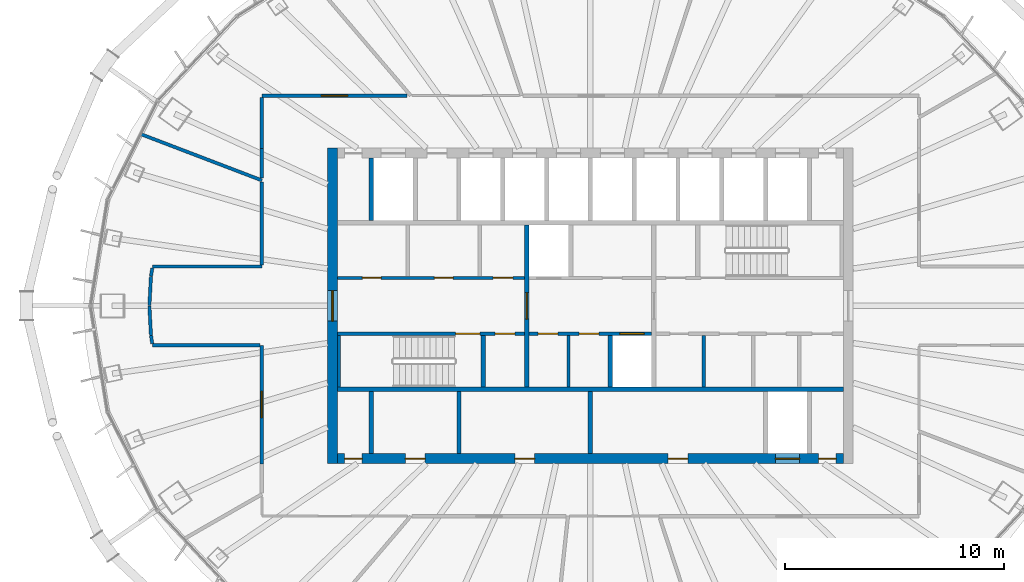
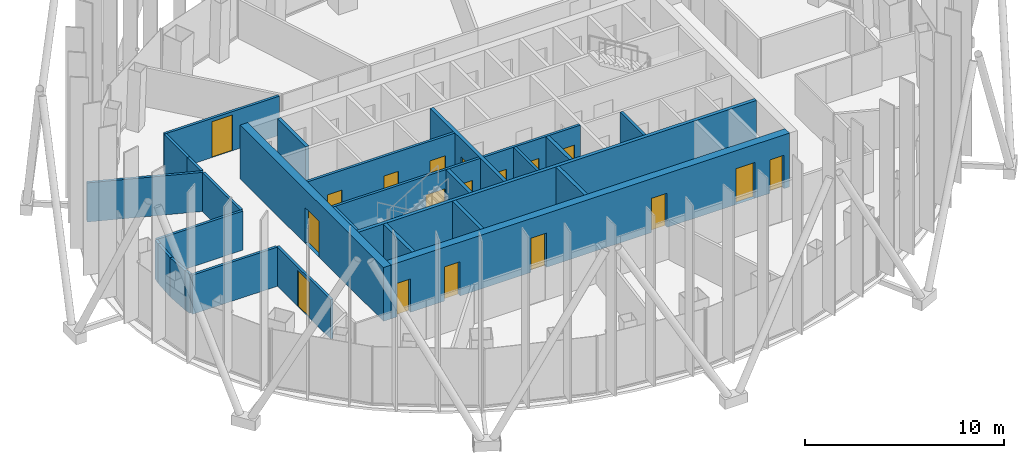
# One storey, part 8 of 17: 28 walls, 18 doors, 18 openings.
"""IFC4 building model written with IfcOpenShell, lengths in metres."""

from ifc_helpers import new_model, si_unit, direction, frame, frame_2d, origin, place, context, subcontext, project, spatial, rectangle, extrude, material, layer, layer_set, type_object, element, fill, save


model = new_model("IFC4")

# Units and contexts
model_context = context("Model", 3, precision=1e-05, world=origin(), true_north=direction((0.0, 1.0)))
body_context = subcontext(model_context, "Body", "Model", "MODEL_VIEW")
ifc_project = project(units=[si_unit("LENGTHUNIT", "METRE"), si_unit("AREAUNIT", "SQUARE_METRE"), si_unit("VOLUMEUNIT", "CUBIC_METRE"), si_unit("PLANEANGLEUNIT", "RADIAN"), si_unit("MASSUNIT", "GRAM", prefix="KILO")], contexts=[model_context])

# Site, building, storey
site_placement = place(None, origin())
site = spatial("IfcSite", under=ifc_project, at=site_placement, CompositionType="ELEMENT")
building_placement = place(site_placement, origin())
building = spatial("IfcBuilding", under=site, at=building_placement, Name="Siaravel Broadcast Tower", CompositionType="ELEMENT")
storey_placement = place(building_placement, frame((0.0, 0.0, 190.39990234375)))
storey = spatial("IfcBuildingStorey", under=building, at=storey_placement, Name="L46", CompositionType="ELEMENT", Elevation=190.39990234375)

# Walls
ifc_material_1 = material(Name="Concrete blockwork", Category="masonry")
ifc_layer_1 = layer(ifc_material_1, 0.14990234375)
ifc_layer_set_1 = layer_set([ifc_layer_1], Name="Concrete blockwork")
wall_type_1 = type_object("IfcWallType", Name="Core partition 150", PredefinedType="PARTITIONING", material=ifc_layer_set_1)
for number, where, z_axis, x_axis, name in (
    (1, (5.180908203125, -3.699951171875, 0.0), (0.0, 0.0, 1.0), (0.0, 1.0, 0.0), "L46 core partition PSE0"),
    (2, (-1.0, -3.699951171875, 0.0), (0.0, 0.0, 1.0), (0.0, 1.0, 0.0), "L46 core partition PSM0"),
):
    element("IfcWall", number, at=place(storey_placement, frame(where, z_axis=z_axis, x_axis=x_axis)), inside=storey, type_object=wall_type_1, Name=name, PredefinedType="PARTITIONING", context=body_context, shape_type="SweptSolid", body=[
        extrude(rectangle(XDim=2.349853515625, YDim=0.14990234375, at=frame_2d((1.1748046875, 0.0))), origin(), (0.0, 0.0, 1.0), 3.300048828125),
    ])
ifc_layer_2 = layer(ifc_material_1, 0.199951171875)
ifc_layer_set_2 = layer_set([ifc_layer_2], Name="Concrete blockwork")
wall_type_2 = type_object("IfcWallType", Name="Core partition 200", PredefinedType="PARTITIONING", material=ifc_layer_set_2)
for number, where, z_axis, x_axis, name in (
    (3, (-6.0, -6.75, 0.0), (0.0, 0.0, 1.0), (0.0, 1.0, 0.0), "L46 core partition PFS0"),
    (4, (0.0, -6.75, 0.0), (0.0, 0.0, 1.0), (0.0, 1.0, 0.0), "L46 core partition PFS2"),
):
    element("IfcWall", number, at=place(storey_placement, frame(where, z_axis=z_axis, x_axis=x_axis)), inside=storey, type_object=wall_type_2, Name=name, PredefinedType="PARTITIONING", context=body_context, shape_type="SweptSolid", body=[
        extrude(rectangle(XDim=2.85009765625, YDim=0.199951171875, at=frame_2d((1.425048828125, 0.0))), origin(), (0.0, 0.0, 1.0), 3.300048828125),
    ])

# Wall, opening, door
ifc_material_2 = material(Name="Concrete C60/75", Category="concrete")
ifc_layer_3 = layer(ifc_material_2, 0.449951171875)
ifc_layer_set_3 = layer_set([ifc_layer_3], Name="Concrete C60/75")
wall_type_3 = type_object("IfcWallType", Name="Core wall 450", PredefinedType="SHEAR", material=ifc_layer_set_3)
wall_1_placement = place(storey_placement, frame((-11.77490234375, -7.199951171875, 0.0), z_axis=(0.0, 0.0, 1.0), x_axis=(0.0, 1.0, 0.0)))
wall_1 = element("IfcWall", 5, at=wall_1_placement, inside=storey, type_object=wall_type_3, Name="L46 core wall OW", PredefinedType="SHEAR", context=body_context, shape_type="SweptSolid", body=[
    extrude(rectangle(XDim=14.39990234375, YDim=0.449951171875, at=frame_2d((7.199951171875, 0.0))), origin(), (0.0, 0.0, 1.0), 3.300048828125),
])
opening_1_placement = place(wall_1_placement, frame((6.5, 0.0, 0.0)))
opening_1 = element("IfcOpeningElement", 6, at=opening_1_placement, cuts=wall_1, Name="Opening L46-DX-W", PredefinedType="OPENING", context=body_context, shape_type="SweptSolid", body=[
    extrude(rectangle(XDim=1.39990234375, YDim=2.199951171875, at=frame_2d((0.699951171875, 1.10009765625))), frame((0.0, 0.23486328125, 0.0), z_axis=(0.0, -1.0, 0.0), x_axis=(1.0, 0.0, 0.0)), (0.0, 0.0, 1.0), 0.469970703125),
])
ifc_material_3 = material(Name="Steel", Category="steel")
door_type_1 = type_object("IfcDoorType", Name="Core exit door 1400", OperationType="DOUBLE_DOOR_SINGLE_SWING", PredefinedType="DOOR", material=ifc_material_3)
door_1_placement = place(opening_1_placement, origin())
door_1 = element("IfcDoor", 7, at=door_1_placement, inside=storey, type_object=door_type_1, Name="L46 door DX-W", OperationType="DOUBLE_DOOR_SINGLE_SWING", OverallHeight=2.199951171875, OverallWidth=1.39990234375, PredefinedType="DOOR", context=body_context, shape_type="SweptSolid", body=[
    extrude(rectangle(XDim=1.39990234375, YDim=2.199951171875, at=frame_2d((0.699951171875, 1.10009765625))), frame((0.0, 0.02490234375, 0.0), z_axis=(0.0, -1.0, 0.0), x_axis=(1.0, 0.0, 0.0)), (0.0, 0.0, 1.0), 0.050048828125),
])
fill(opening_1, door_1)

# Wall, openings, doors
wall_2_placement = place(storey_placement, frame((-11.550048828125, -6.97509765625, 0.0), z_axis=(0.0, 0.0, 1.0), x_axis=(1.0, 0.0, 0.0)))
wall_2 = element("IfcWall", 8, at=wall_2_placement, inside=storey, type_object=wall_type_3, Name="L46 core wall OS", PredefinedType="SHEAR", context=body_context, shape_type="SweptSolid", body=[
    extrude(rectangle(XDim=23.10009765625, YDim=0.449951171875, at=frame_2d((11.550048828125, 0.0))), origin(), (0.0, 0.0, 1.0), 3.300048828125),
])
opening_2_placement = place(wall_2_placement, frame((20.0, 0.0, 0.0)))
opening_2 = element("IfcOpeningElement", 9, at=opening_2_placement, cuts=wall_2, Name="Opening LD-SV1-L46", PredefinedType="OPENING", context=body_context, shape_type="SweptSolid", body=[
    extrude(rectangle(XDim=1.10009765625, YDim=2.199951171875, at=frame_2d((0.550048828125, 1.10009765625))), frame((0.0, 0.23486328125, 0.0), z_axis=(0.0, -1.0, 0.0), x_axis=(1.0, 0.0, 0.0)), (0.0, 0.0, 1.0), 0.469970703125),
])
opening_3_placement = place(wall_2_placement, frame((3.10009765625, 0.0, 0.0)))
opening_3 = element("IfcOpeningElement", 10, at=opening_3_placement, cuts=wall_2, Name="Opening L46-DFS0", PredefinedType="OPENING", context=body_context, shape_type="SweptSolid", body=[
    extrude(rectangle(XDim=0.89990234375, YDim=2.10009765625, at=frame_2d((0.449951171875, 1.050048828125))), frame((0.0, 0.23486328125, 0.0), z_axis=(0.0, -1.0, 0.0), x_axis=(1.0, 0.0, 0.0)), (0.0, 0.0, 1.0), 0.469970703125),
])
opening_4_placement = place(wall_2_placement, frame((8.10009765625, 0.0, 0.0)))
opening_4 = element("IfcOpeningElement", 11, at=opening_4_placement, cuts=wall_2, Name="Opening L46-DFS2", PredefinedType="OPENING", context=body_context, shape_type="SweptSolid", body=[
    extrude(rectangle(XDim=0.89990234375, YDim=2.10009765625, at=frame_2d((0.449951171875, 1.050048828125))), frame((0.0, 0.23486328125, 0.0), z_axis=(0.0, -1.0, 0.0), x_axis=(1.0, 0.0, 0.0)), (0.0, 0.0, 1.0), 0.469970703125),
])
opening_5_placement = place(wall_2_placement, frame((15.10009765625, 0.0, 0.0)))
opening_5 = element("IfcOpeningElement", 12, at=opening_5_placement, cuts=wall_2, Name="Opening L46-DFS5", PredefinedType="OPENING", context=body_context, shape_type="SweptSolid", body=[
    extrude(rectangle(XDim=0.89990234375, YDim=2.10009765625, at=frame_2d((0.449951171875, 1.050048828125))), frame((0.0, 0.23486328125, 0.0), z_axis=(0.0, -1.0, 0.0), x_axis=(1.0, 0.0, 0.0)), (0.0, 0.0, 1.0), 0.469970703125),
])
opening_6_placement = place(wall_2_placement, frame((0.324951171875, 0.0, 0.0)))
opening_6 = element("IfcOpeningElement", 13, at=opening_6_placement, cuts=wall_2, Name="Opening L46-DRSW", PredefinedType="OPENING", context=body_context, shape_type="SweptSolid", body=[
    extrude(rectangle(XDim=0.800048828125, YDim=2.050048828125, at=frame_2d((0.39990234375, 1.02490234375))), frame((0.0, 0.23486328125, 0.0), z_axis=(0.0, -1.0, 0.0), x_axis=(1.0, 0.0, 0.0)), (0.0, 0.0, 1.0), 0.469970703125),
])
opening_7_placement = place(wall_2_placement, frame((21.97509765625, 0.0, 0.0)))
opening_7 = element("IfcOpeningElement", 14, at=opening_7_placement, cuts=wall_2, Name="Opening L46-DRSE", PredefinedType="OPENING", context=body_context, shape_type="SweptSolid", body=[
    extrude(rectangle(XDim=0.800048828125, YDim=2.050048828125, at=frame_2d((0.39990234375, 1.02490234375))), frame((0.0, 0.23486328125, 0.0), z_axis=(0.0, -1.0, 0.0), x_axis=(1.0, 0.0, 0.0)), (0.0, 0.0, 1.0), 0.469970703125),
])
ifc_material_4 = material(Name="Timber veneer", Category="wood")
door_type_2 = type_object("IfcDoorType", Name="Core room door 900", OperationType="SINGLE_SWING_LEFT", PredefinedType="DOOR", material=ifc_material_4)
door_2_placement = place(opening_3_placement, origin())
door_2 = element("IfcDoor", 15, at=door_2_placement, inside=storey, type_object=door_type_2, Name="L46 door DFS0", OperationType="SINGLE_SWING_LEFT", OverallHeight=2.10009765625, OverallWidth=0.89990234375, PredefinedType="DOOR", context=body_context, shape_type="SweptSolid", body=[
    extrude(rectangle(XDim=0.89990234375, YDim=2.10009765625, at=frame_2d((0.449951171875, 1.050048828125))), frame((0.0, 0.02490234375, 0.0), z_axis=(0.0, -1.0, 0.0), x_axis=(1.0, 0.0, 0.0)), (0.0, 0.0, 1.0), 0.050048828125),
])
fill(opening_3, door_2)
door_3_placement = place(opening_4_placement, origin())
door_3 = element("IfcDoor", 16, at=door_3_placement, inside=storey, type_object=door_type_2, Name="L46 door DFS2", OperationType="SINGLE_SWING_LEFT", OverallHeight=2.10009765625, OverallWidth=0.89990234375, PredefinedType="DOOR", context=body_context, shape_type="SweptSolid", body=[
    extrude(rectangle(XDim=0.89990234375, YDim=2.10009765625, at=frame_2d((0.449951171875, 1.050048828125))), frame((0.0, 0.02490234375, 0.0), z_axis=(0.0, -1.0, 0.0), x_axis=(1.0, 0.0, 0.0)), (0.0, 0.0, 1.0), 0.050048828125),
])
fill(opening_4, door_3)
door_4_placement = place(opening_5_placement, origin())
door_4 = element("IfcDoor", 17, at=door_4_placement, inside=storey, type_object=door_type_2, Name="L46 door DFS5", OperationType="SINGLE_SWING_LEFT", OverallHeight=2.10009765625, OverallWidth=0.89990234375, PredefinedType="DOOR", context=body_context, shape_type="SweptSolid", body=[
    extrude(rectangle(XDim=0.89990234375, YDim=2.10009765625, at=frame_2d((0.449951171875, 1.050048828125))), frame((0.0, 0.02490234375, 0.0), z_axis=(0.0, -1.0, 0.0), x_axis=(1.0, 0.0, 0.0)), (0.0, 0.0, 1.0), 0.050048828125),
])
fill(opening_5, door_4)
door_type_3 = type_object("IfcDoorType", Name="Riser door 800", OperationType="SINGLE_SWING_LEFT", PredefinedType="DOOR", material=ifc_material_3)
door_5_placement = place(opening_6_placement, origin())
door_5 = element("IfcDoor", 18, at=door_5_placement, inside=storey, type_object=door_type_3, Name="L46 door DRSW", OperationType="SINGLE_SWING_LEFT", OverallHeight=2.050048828125, OverallWidth=0.800048828125, PredefinedType="DOOR", context=body_context, shape_type="SweptSolid", body=[
    extrude(rectangle(XDim=0.800048828125, YDim=2.050048828125, at=frame_2d((0.39990234375, 1.02490234375))), frame((0.0, 0.02490234375, 0.0), z_axis=(0.0, -1.0, 0.0), x_axis=(1.0, 0.0, 0.0)), (0.0, 0.0, 1.0), 0.050048828125),
])
fill(opening_6, door_5)
door_6_placement = place(opening_7_placement, origin())
door_6 = element("IfcDoor", 19, at=door_6_placement, inside=storey, type_object=door_type_3, Name="L46 door DRSE", OperationType="SINGLE_SWING_LEFT", OverallHeight=2.050048828125, OverallWidth=0.800048828125, PredefinedType="DOOR", context=body_context, shape_type="SweptSolid", body=[
    extrude(rectangle(XDim=0.800048828125, YDim=2.050048828125, at=frame_2d((0.39990234375, 1.02490234375))), frame((0.0, 0.02490234375, 0.0), z_axis=(0.0, -1.0, 0.0), x_axis=(1.0, 0.0, 0.0)), (0.0, 0.0, 1.0), 0.050048828125),
])
fill(opening_7, door_6)
ifc_material_5 = material(Name="Stainless steel 316L", Category="steel")
door_type_4 = type_object("IfcDoorType", Name="Service lift landing door 1100", OperationType="DOUBLE_DOOR_SLIDING", PredefinedType="DOOR", material=ifc_material_5)
door_7_placement = place(opening_2_placement, origin())
door_7 = element("IfcDoor", 20, at=door_7_placement, inside=storey, type_object=door_type_4, Name="Landing door SV1 L46", OperationType="DOUBLE_DOOR_SLIDING", OverallHeight=2.199951171875, OverallWidth=1.10009765625, PredefinedType="DOOR", context=body_context, shape_type="SweptSolid", body=[
    extrude(rectangle(XDim=1.10009765625, YDim=2.199951171875, at=frame_2d((0.550048828125, 1.10009765625))), frame((0.0, 0.02490234375, 0.0), z_axis=(0.0, -1.0, 0.0), x_axis=(1.0, 0.0, 0.0)), (0.0, 0.0, 1.0), 0.050048828125),
])
fill(opening_2, door_7)

ifc_material_6 = material(Name="Gypsum board partition", Category="gypsum")
ifc_layer_4 = layer(ifc_material_6, 0.14990234375)
ifc_layer_set_4 = layer_set([ifc_layer_4], Name="Gypsum board partition")
wall_type_4 = type_object("IfcWallType", Name="Corridor wall 150", PredefinedType="PARTITIONING", material=ifc_layer_set_4)
wall_3_placement = place(storey_placement, frame((-11.550048828125, 1.27490234375, 0.0), z_axis=(0.0, 0.0, 1.0), x_axis=(1.0, 0.0, 0.0)))
wall_3 = element("IfcWall", 21, at=wall_3_placement, inside=storey, type_object=wall_type_4, Name="L46 core partition CNW", PredefinedType="PARTITIONING", context=body_context, shape_type="SweptSolid", body=[
    extrude(rectangle(XDim=8.550048828125, YDim=0.14990234375, at=frame_2d((4.27490234375, 0.0))), origin(), (0.0, 0.0, 1.0), 3.300048828125),
])
opening_8_placement = place(wall_3_placement, frame((1.142578125, 0.0, 0.0)))
opening_8 = element("IfcOpeningElement", 22, at=opening_8_placement, cuts=wall_3, Name="Opening L46-DNW0", PredefinedType="OPENING", context=body_context, shape_type="SweptSolid", body=[
    extrude(rectangle(XDim=0.85009765625, YDim=2.10009765625, at=frame_2d((0.425048828125, 1.050048828125))), frame((0.0, 0.0849609375, 0.0), z_axis=(0.0, -1.0, 0.0), x_axis=(1.0, 0.0, 0.0)), (0.0, 0.0, 1.0), 0.169921875),
])
opening_9_placement = place(wall_3_placement, frame((4.427490234375, 0.0, 0.0)))
opening_9 = element("IfcOpeningElement", 23, at=opening_9_placement, cuts=wall_3, Name="Opening L46-DNW1", PredefinedType="OPENING", context=body_context, shape_type="SweptSolid", body=[
    extrude(rectangle(XDim=0.85009765625, YDim=2.10009765625, at=frame_2d((0.425048828125, 1.050048828125))), frame((0.0, 0.0849609375, 0.0), z_axis=(0.0, -1.0, 0.0), x_axis=(1.0, 0.0, 0.0)), (0.0, 0.0, 1.0), 0.169921875),
])
opening_10_placement = place(wall_3_placement, frame((7.110107421875, 0.0, 0.0)))
opening_10 = element("IfcOpeningElement", 24, at=opening_10_placement, cuts=wall_3, Name="Opening L46-DNW2", PredefinedType="OPENING", context=body_context, shape_type="SweptSolid", body=[
    extrude(rectangle(XDim=0.89990234375, YDim=2.10009765625, at=frame_2d((0.449951171875, 1.050048828125))), frame((0.0, 0.0849609375, 0.0), z_axis=(0.0, -1.0, 0.0), x_axis=(1.0, 0.0, 0.0)), (0.0, 0.0, 1.0), 0.169921875),
])
door_8_placement = place(opening_10_placement, origin())
door_8 = element("IfcDoor", 25, at=door_8_placement, inside=storey, type_object=door_type_2, Name="L46 door DNW2", OperationType="SINGLE_SWING_LEFT", OverallHeight=2.10009765625, OverallWidth=0.89990234375, PredefinedType="DOOR", context=body_context, shape_type="SweptSolid", body=[
    extrude(rectangle(XDim=0.89990234375, YDim=2.10009765625, at=frame_2d((0.449951171875, 1.050048828125))), frame((0.0, 0.02490234375, 0.0), z_axis=(0.0, -1.0, 0.0), x_axis=(1.0, 0.0, 0.0)), (0.0, 0.0, 1.0), 0.050048828125),
])
fill(opening_10, door_8)
door_type_5 = type_object("IfcDoorType", Name="Core toilet door 850", OperationType="SINGLE_SWING_LEFT", PredefinedType="DOOR", material=ifc_material_4)
door_9_placement = place(opening_8_placement, origin())
door_9 = element("IfcDoor", 26, at=door_9_placement, inside=storey, type_object=door_type_5, Name="L46 door DNW0", OperationType="SINGLE_SWING_LEFT", OverallHeight=2.10009765625, OverallWidth=0.85009765625, PredefinedType="DOOR", context=body_context, shape_type="SweptSolid", body=[
    extrude(rectangle(XDim=0.85009765625, YDim=2.10009765625, at=frame_2d((0.425048828125, 1.050048828125))), frame((0.0, 0.02490234375, 0.0), z_axis=(0.0, -1.0, 0.0), x_axis=(1.0, 0.0, 0.0)), (0.0, 0.0, 1.0), 0.050048828125),
])
fill(opening_8, door_9)
door_10_placement = place(opening_9_placement, origin())
door_10 = element("IfcDoor", 27, at=door_10_placement, inside=storey, type_object=door_type_5, Name="L46 door DNW1", OperationType="SINGLE_SWING_LEFT", OverallHeight=2.10009765625, OverallWidth=0.85009765625, PredefinedType="DOOR", context=body_context, shape_type="SweptSolid", body=[
    extrude(rectangle(XDim=0.85009765625, YDim=2.10009765625, at=frame_2d((0.425048828125, 1.050048828125))), frame((0.0, 0.02490234375, 0.0), z_axis=(0.0, -1.0, 0.0), x_axis=(1.0, 0.0, 0.0)), (0.0, 0.0, 1.0), 0.050048828125),
])
fill(opening_9, door_10)

# Wall, opening, door
wall_4_placement = place(storey_placement, frame((-8.371337890625, 9.60009765625, 0.0), z_axis=(0.0, 0.0, 1.0), x_axis=(-1.0, 0.0, 0.0)))
wall_4 = element("IfcWall", 28, at=wall_4_placement, inside=storey, type_object=wall_type_4, Name="L46 partition 11", PredefinedType="PARTITIONING", context=body_context, shape_type="SweptSolid", body=[
    extrude(rectangle(XDim=6.628662109375, YDim=0.14990234375, at=frame_2d((3.314453125, 0.0))), origin(), (0.0, 0.0, 1.0), 2.400146484375),
])
opening_11_placement = place(wall_4_placement, frame((2.71435546875, 0.0, 0.0)))
opening_11 = element("IfcOpeningElement", 29, at=opening_11_placement, cuts=wall_4, Name="Opening L46-010", PredefinedType="OPENING", context=body_context, shape_type="SweptSolid", body=[
    extrude(rectangle(XDim=1.199951171875, YDim=2.199951171875, at=frame_2d((0.60009765625, 1.10009765625))), frame((0.0, 0.0849609375, 0.0), z_axis=(0.0, -1.0, 0.0), x_axis=(1.0, 0.0, 0.0)), (0.0, 0.0, 1.0), 0.169921875),
])
door_type_6 = type_object("IfcDoorType", Name="Office double door 1200", OperationType="DOUBLE_DOOR_SINGLE_SWING", PredefinedType="DOOR", material=ifc_material_4)
door_11_placement = place(opening_11_placement, origin())
door_11 = element("IfcDoor", 30, at=door_11_placement, inside=storey, type_object=door_type_6, Name="L46 door to Open plan office", OperationType="DOUBLE_DOOR_SINGLE_SWING", OverallHeight=2.199951171875, OverallWidth=1.199951171875, PredefinedType="DOOR", context=body_context, shape_type="SweptSolid", body=[
    extrude(rectangle(XDim=1.199951171875, YDim=2.199951171875, at=frame_2d((0.60009765625, 1.10009765625))), frame((0.0, 0.02490234375, 0.0), z_axis=(0.0, -1.0, 0.0), x_axis=(1.0, 0.0, 0.0)), (0.0, 0.0, 1.0), 0.050048828125),
])
fill(opening_11, door_11)

wall_5_placement = place(storey_placement, frame((-15.0, -1.800048828125, 0.0), z_axis=(0.0, 0.0, 1.0), x_axis=(0.0, -1.0, 0.0)))
wall_5 = element("IfcWall", 31, at=wall_5_placement, inside=storey, type_object=wall_type_4, Name="L46 partition 15", PredefinedType="PARTITIONING", context=body_context, shape_type="SweptSolid", body=[
    extrude(rectangle(XDim=5.411865234375, YDim=0.14990234375, at=frame_2d((2.7060546875, 0.0))), origin(), (0.0, 0.0, 1.0), 2.400146484375),
])
opening_12_placement = place(wall_5_placement, frame((2.10595703125, 0.0, 0.0)))
opening_12 = element("IfcOpeningElement", 32, at=opening_12_placement, cuts=wall_5, Name="Opening L46-011", PredefinedType="OPENING", context=body_context, shape_type="SweptSolid", body=[
    extrude(rectangle(XDim=1.199951171875, YDim=2.199951171875, at=frame_2d((0.60009765625, 1.10009765625))), frame((0.0, 0.0849609375, 0.0), z_axis=(0.0, -1.0, 0.0), x_axis=(1.0, 0.0, 0.0)), (0.0, 0.0, 1.0), 0.169921875),
])
door_12_placement = place(opening_12_placement, origin())
door_12 = element("IfcDoor", 33, at=door_12_placement, inside=storey, type_object=door_type_6, Name="L46 door to Open plan office", OperationType="DOUBLE_DOOR_SINGLE_SWING", OverallHeight=2.199951171875, OverallWidth=1.199951171875, PredefinedType="DOOR", context=body_context, shape_type="SweptSolid", body=[
    extrude(rectangle(XDim=1.199951171875, YDim=2.199951171875, at=frame_2d((0.60009765625, 1.10009765625))), frame((0.0, 0.02490234375, 0.0), z_axis=(0.0, -1.0, 0.0), x_axis=(1.0, 0.0, 0.0)), (0.0, 0.0, 1.0), 0.050048828125),
])
fill(opening_12, door_12)

# Walls
wall_6_placement = place(storey_placement, frame((-19.9921875, -1.800048828125, 0.0), z_axis=(0.0, 0.0, 1.0), x_axis=(1.0, 0.0, 0.0)))
element("IfcWall", 34, at=wall_6_placement, inside=storey, type_object=wall_type_4, Name="L46 partition 18", PredefinedType="PARTITIONING", context=body_context, shape_type="SweptSolid", body=[
    extrude(rectangle(XDim=4.915283203125, YDim=0.14990234375, at=frame_2d((2.45751953125, 0.0))), origin(), (0.0, 0.0, 1.0), 2.400146484375),
])
wall_7_placement = place(storey_placement, frame((-15.0, 1.800048828125, 0.0), z_axis=(0.0, 0.0, 1.0), x_axis=(-1.0, 0.0, 0.0)))
element("IfcWall", 35, at=wall_7_placement, inside=storey, type_object=wall_type_4, Name="L46 partition 19", PredefinedType="PARTITIONING", context=body_context, shape_type="SweptSolid", body=[
    extrude(rectangle(XDim=4.9921875, YDim=0.14990234375, at=frame_2d((2.49609375, 0.0))), origin(), (0.0, 0.0, 1.0), 2.400146484375),
])
wall_8_placement = place(storey_placement, frame((-15.0, 5.6572265625, 0.0), z_axis=(0.0, 0.0, 1.0), x_axis=(0.0, -1.0, 0.0)))
element("IfcWall", 36, at=wall_8_placement, inside=storey, type_object=wall_type_4, Name="L46 partition 25", PredefinedType="PARTITIONING", context=body_context, shape_type="SweptSolid", body=[
    extrude(rectangle(XDim=3.7802734375, YDim=0.14990234375, at=frame_2d((1.89013671875, 0.0))), origin(), (0.0, 0.0, 1.0), 2.400146484375),
])
wall_9_placement = place(storey_placement, frame((-15.0, 9.52294921875, 0.0), z_axis=(0.0, 0.0, 1.0), x_axis=(0.0, -1.0, 0.0)))
element("IfcWall", 37, at=wall_9_placement, inside=storey, type_object=wall_type_4, Name="L46 partition 28", PredefinedType="PARTITIONING", context=body_context, shape_type="SweptSolid", body=[
    extrude(rectangle(XDim=2.3349609375, YDim=0.14990234375, at=frame_2d((1.16748046875, 0.0))), origin(), (0.0, 0.0, 1.0), 2.400146484375),
])
wall_10_placement = place(storey_placement, frame((-15.0, 7.18701171875, 0.0), z_axis=(0.0, 0.0, 1.0), x_axis=(0.0, -1.0, 0.0)))
element("IfcWall", 38, at=wall_10_placement, inside=storey, type_object=wall_type_4, Name="L46 partition 30", PredefinedType="PARTITIONING", context=body_context, shape_type="SweptSolid", body=[
    extrude(rectangle(XDim=1.3466796875, YDim=0.14990234375, at=frame_2d((0.67333984375, 0.0))), origin(), (0.0, 0.0, 1.0), 2.400146484375),
])
wall_11_placement = place(storey_placement, frame((-20.13671875, 0.0, 0.0), z_axis=(0.0, 0.0, 1.0), x_axis=(0.053233569, -0.998582088, 0.0)))
element("IfcWall", 39, at=wall_11_placement, inside=storey, type_object=wall_type_4, Name="L46 partition 35", PredefinedType="PARTITIONING", context=body_context, shape_type="SweptSolid", body=[
    extrude(rectangle(XDim=1.348388671875, YDim=0.14990234375, at=frame_2d((0.67431640625, 0.0))), origin(), (0.0, 0.0, 1.0), 2.400146484375),
])
wall_12_placement = place(storey_placement, frame((-20.06494140625, 1.346435546875, 0.0), z_axis=(0.0, 0.0, 1.0), x_axis=(-0.053267345, -0.998580287, 0.0)))
element("IfcWall", 40, at=wall_12_placement, inside=storey, type_object=wall_type_4, Name="L46 partition 36", PredefinedType="PARTITIONING", context=body_context, shape_type="SweptSolid", body=[
    extrude(rectangle(XDim=1.33837890625, YDim=0.14990234375, at=frame_2d((0.669189453125, 0.0))), origin(), (0.0, 0.0, 1.0), 2.400146484375),
])
for number, where, z_axis, x_axis, name in (
    (41, (-20.0634765625, -1.356201171875, 0.0), (0.0, 0.0, 1.0), (0.158882963, -0.987297424, 0.0), "L46 partition 40"),
    (42, (-20.004150390625, 1.724853515625, 0.0), (0.0, 0.0, 1.0), (-0.158882963, -0.987297424, 0.0), "L46 partition 41"),
):
    element("IfcWall", number, at=place(storey_placement, frame(where, z_axis=z_axis, x_axis=x_axis)), inside=storey, type_object=wall_type_4, Name=name, PredefinedType="PARTITIONING", context=body_context, shape_type="SweptSolid", body=[
        extrude(rectangle(XDim=0.373291015625, YDim=0.14990234375, at=frame_2d((0.1865234375, 0.0))), origin(), (0.0, 0.0, 1.0), 2.400146484375),
    ])
ifc_layer_5 = layer(ifc_material_6, 0.14990234375)
ifc_layer_set_5 = layer_set([ifc_layer_5], Name="Gypsum board partition")
wall_type_5 = type_object("IfcWallType", Name="Room partition 150", PredefinedType="PARTITIONING", material=ifc_layer_set_5)
wall_13_placement = place(storey_placement, frame((-20.515380859375, 7.8359375, 0.0), z_axis=(0.0, 0.0, 1.0), x_axis=(0.934186062, -0.356786213, 0.0)))
element("IfcWall", 43, at=wall_13_placement, inside=storey, type_object=wall_type_5, Name="L46 partition 13", PredefinedType="PARTITIONING", context=body_context, shape_type="SweptSolid", body=[
    extrude(rectangle(XDim=5.904052734375, YDim=0.14990234375, at=frame_2d((2.9521484375, 0.0))), origin(), (0.0, 0.0, 1.0), 2.400146484375),
])

# Wall, openings, doors
ifc_layer_6 = layer(ifc_material_2, 0.14990234375)
ifc_layer_set_6 = layer_set([ifc_layer_6], Name="Concrete C60/75")
wall_type_6 = type_object("IfcWallType", Name="Shaft wall 150", PredefinedType="SHEAR", material=ifc_layer_set_6)
wall_14_placement = place(storey_placement, frame((-11.550048828125, -1.27490234375, 0.0), z_axis=(0.0, 0.0, 1.0), x_axis=(1.0, 0.0, 0.0)))
wall_14 = element("IfcWall", 44, at=wall_14_placement, inside=storey, type_object=wall_type_6, Name="L46 core wall CSW", PredefinedType="SHEAR", context=body_context, shape_type="SweptSolid", body=[
    extrude(rectangle(XDim=8.550048828125, YDim=0.14990234375, at=frame_2d((4.27490234375, 0.0))), origin(), (0.0, 0.0, 1.0), 3.300048828125),
])
opening_13_placement = place(wall_14_placement, frame((5.39990234375, 0.0, 0.0)))
opening_13 = element("IfcOpeningElement", 45, at=opening_13_placement, cuts=wall_14, Name="Opening L46-DS-1", PredefinedType="OPENING", context=body_context, shape_type="SweptSolid", body=[
    extrude(rectangle(XDim=1.10009765625, YDim=2.14990234375, at=frame_2d((0.550048828125, 1.074951171875))), frame((0.0, 0.0849609375, 0.0), z_axis=(0.0, -1.0, 0.0), x_axis=(1.0, 0.0, 0.0)), (0.0, 0.0, 1.0), 0.169921875),
])
opening_14_placement = place(wall_14_placement, frame((7.199951171875, 0.0, 0.0)))
opening_14 = element("IfcOpeningElement", 46, at=opening_14_placement, cuts=wall_14, Name="Opening L46-DSW0", PredefinedType="OPENING", context=body_context, shape_type="SweptSolid", body=[
    extrude(rectangle(XDim=0.89990234375, YDim=2.10009765625, at=frame_2d((0.449951171875, 1.050048828125))), frame((0.0, 0.0849609375, 0.0), z_axis=(0.0, -1.0, 0.0), x_axis=(1.0, 0.0, 0.0)), (0.0, 0.0, 1.0), 0.169921875),
])
door_13_placement = place(opening_14_placement, origin())
door_13 = element("IfcDoor", 47, at=door_13_placement, inside=storey, type_object=door_type_2, Name="L46 door DSW0", OperationType="SINGLE_SWING_LEFT", OverallHeight=2.10009765625, OverallWidth=0.89990234375, PredefinedType="DOOR", context=body_context, shape_type="SweptSolid", body=[
    extrude(rectangle(XDim=0.89990234375, YDim=2.10009765625, at=frame_2d((0.449951171875, 1.050048828125))), frame((0.0, 0.02490234375, 0.0), z_axis=(0.0, -1.0, 0.0), x_axis=(1.0, 0.0, 0.0)), (0.0, 0.0, 1.0), 0.050048828125),
])
fill(opening_14, door_13)
door_type_7 = type_object("IfcDoorType", Name="Stair door 1100", OperationType="SINGLE_SWING_LEFT", PredefinedType="DOOR", material=ifc_material_3)
door_14_placement = place(opening_13_placement, origin())
door_14 = element("IfcDoor", 48, at=door_14_placement, inside=storey, type_object=door_type_7, Name="L46 door DS-1", OperationType="SINGLE_SWING_LEFT", OverallHeight=2.14990234375, OverallWidth=1.10009765625, PredefinedType="DOOR", context=body_context, shape_type="SweptSolid", body=[
    extrude(rectangle(XDim=1.10009765625, YDim=2.14990234375, at=frame_2d((0.550048828125, 1.074951171875))), frame((0.0, 0.02490234375, 0.0), z_axis=(0.0, -1.0, 0.0), x_axis=(1.0, 0.0, 0.0)), (0.0, 0.0, 1.0), 0.050048828125),
])
fill(opening_13, door_14)

wall_15_placement = place(storey_placement, frame((-2.800048828125, -1.27490234375, 0.0), z_axis=(0.0, 0.0, 1.0), x_axis=(1.0, 0.0, 0.0)))
wall_15 = element("IfcWall", 49, at=wall_15_placement, inside=storey, type_object=wall_type_6, Name="L46 core wall CSM", PredefinedType="SHEAR", context=body_context, shape_type="SweptSolid", body=[
    extrude(rectangle(XDim=5.60009765625, YDim=0.14990234375, at=frame_2d((2.800048828125, 0.0))), origin(), (0.0, 0.0, 1.0), 3.300048828125),
])
opening_15_placement = place(wall_15_placement, frame((4.14990234375, 0.0, 0.0)))
opening_15 = element("IfcOpeningElement", 50, at=opening_15_placement, cuts=wall_15, Name="Opening LD-FL2-L46", PredefinedType="OPENING", context=body_context, shape_type="SweptSolid", body=[
    extrude(rectangle(XDim=1.10009765625, YDim=2.199951171875, at=frame_2d((0.550048828125, 1.10009765625))), frame((0.0, 0.0849609375, 0.0), z_axis=(0.0, -1.0, 0.0), x_axis=(1.0, 0.0, 0.0)), (0.0, 0.0, 1.0), 0.169921875),
])
opening_16_placement = place(wall_15_placement, frame((0.41259765625, 0.0, 0.0)))
opening_16 = element("IfcOpeningElement", 51, at=opening_16_placement, cuts=wall_15, Name="Opening L46-DSM0", PredefinedType="OPENING", context=body_context, shape_type="SweptSolid", body=[
    extrude(rectangle(XDim=0.89990234375, YDim=2.10009765625, at=frame_2d((0.449951171875, 1.050048828125))), frame((0.0, 0.0849609375, 0.0), z_axis=(0.0, -1.0, 0.0), x_axis=(1.0, 0.0, 0.0)), (0.0, 0.0, 1.0), 0.169921875),
])
opening_17_placement = place(wall_15_placement, frame((2.28759765625, 0.0, 0.0)))
opening_17 = element("IfcOpeningElement", 52, at=opening_17_placement, cuts=wall_15, Name="Opening L46-DSM1", PredefinedType="OPENING", context=body_context, shape_type="SweptSolid", body=[
    extrude(rectangle(XDim=0.89990234375, YDim=2.10009765625, at=frame_2d((0.449951171875, 1.050048828125))), frame((0.0, 0.0849609375, 0.0), z_axis=(0.0, -1.0, 0.0), x_axis=(1.0, 0.0, 0.0)), (0.0, 0.0, 1.0), 0.169921875),
])
door_15_placement = place(opening_16_placement, origin())
door_15 = element("IfcDoor", 53, at=door_15_placement, inside=storey, type_object=door_type_2, Name="L46 door DSM0", OperationType="SINGLE_SWING_LEFT", OverallHeight=2.10009765625, OverallWidth=0.89990234375, PredefinedType="DOOR", context=body_context, shape_type="SweptSolid", body=[
    extrude(rectangle(XDim=0.89990234375, YDim=2.10009765625, at=frame_2d((0.449951171875, 1.050048828125))), frame((0.0, 0.02490234375, 0.0), z_axis=(0.0, -1.0, 0.0), x_axis=(1.0, 0.0, 0.0)), (0.0, 0.0, 1.0), 0.050048828125),
])
fill(opening_16, door_15)
door_16_placement = place(opening_17_placement, origin())
door_16 = element("IfcDoor", 54, at=door_16_placement, inside=storey, type_object=door_type_2, Name="L46 door DSM1", OperationType="SINGLE_SWING_LEFT", OverallHeight=2.10009765625, OverallWidth=0.89990234375, PredefinedType="DOOR", context=body_context, shape_type="SweptSolid", body=[
    extrude(rectangle(XDim=0.89990234375, YDim=2.10009765625, at=frame_2d((0.449951171875, 1.050048828125))), frame((0.0, 0.02490234375, 0.0), z_axis=(0.0, -1.0, 0.0), x_axis=(1.0, 0.0, 0.0)), (0.0, 0.0, 1.0), 0.050048828125),
])
fill(opening_17, door_16)
door_type_8 = type_object("IfcDoorType", Name="Firefighting lift landing door 1100", OperationType="DOUBLE_DOOR_SLIDING", PredefinedType="DOOR", material=ifc_material_5)
door_17_placement = place(opening_15_placement, origin())
door_17 = element("IfcDoor", 55, at=door_17_placement, inside=storey, type_object=door_type_8, Name="Landing door FL2 L46", OperationType="DOUBLE_DOOR_SLIDING", OverallHeight=2.199951171875, OverallWidth=1.10009765625, PredefinedType="DOOR", context=body_context, shape_type="SweptSolid", body=[
    extrude(rectangle(XDim=1.10009765625, YDim=2.199951171875, at=frame_2d((0.550048828125, 1.10009765625))), frame((0.0, 0.02490234375, 0.0), z_axis=(0.0, -1.0, 0.0), x_axis=(1.0, 0.0, 0.0)), (0.0, 0.0, 1.0), 0.050048828125),
])
fill(opening_15, door_17)

# Walls
wall_16_placement = place(storey_placement, frame((-11.47509765625, -3.699951171875, 0.0), z_axis=(0.0, 0.0, 1.0), x_axis=(0.0, 1.0, 0.0)))
element("IfcWall", 56, at=wall_16_placement, inside=storey, type_object=wall_type_6, Name="L46 core wall ST1W", PredefinedType="SHEAR", context=body_context, shape_type="SweptSolid", body=[
    extrude(rectangle(XDim=2.349853515625, YDim=0.14990234375, at=frame_2d((1.1748046875, 0.0))), origin(), (0.0, 0.0, 1.0), 3.300048828125),
])
ifc_layer_7 = layer(ifc_material_2, 0.199951171875)
ifc_layer_set_7 = layer_set([ifc_layer_7], Name="Concrete C60/75")
wall_type_7 = type_object("IfcWallType", Name="Shaft wall 200", PredefinedType="SHEAR", material=ifc_layer_set_7)
wall_17_placement = place(storey_placement, frame((-11.550048828125, -3.800048828125, 0.0), z_axis=(0.0, 0.0, 1.0), x_axis=(1.0, 0.0, 0.0)))
element("IfcWall", 57, at=wall_17_placement, inside=storey, type_object=wall_type_7, Name="L46 core wall BS", PredefinedType="SHEAR", context=body_context, shape_type="SweptSolid", body=[
    extrude(rectangle(XDim=23.10009765625, YDim=0.199951171875, at=frame_2d((11.550048828125, 0.0))), origin(), (0.0, 0.0, 1.0), 3.300048828125),
])
for number, where, z_axis, x_axis, name in (
    (58, (-10.0, -6.75, 0.0), (0.0, 0.0, 1.0), (0.0, 1.0, 0.0), "L46 core wall SWS0"),
    (59, (-10.0, 3.89990234375, 0.0), (0.0, 0.0, 1.0), (0.0, 1.0, 0.0), "L46 core wall SWN0"),
):
    element("IfcWall", number, at=place(storey_placement, frame(where, z_axis=z_axis, x_axis=x_axis)), inside=storey, type_object=wall_type_7, Name=name, PredefinedType="SHEAR", context=body_context, shape_type="SweptSolid", body=[
        extrude(rectangle(XDim=2.85009765625, YDim=0.199951171875, at=frame_2d((1.425048828125, 0.0))), origin(), (0.0, 0.0, 1.0), 3.300048828125),
    ])

# Wall, opening, door
wall_18_placement = place(storey_placement, frame((-2.89990234375, -3.699951171875, 0.0), z_axis=(0.0, 0.0, 1.0), x_axis=(0.0, 1.0, 0.0)))
wall_18 = element("IfcWall", 60, at=wall_18_placement, inside=storey, type_object=wall_type_7, Name="L46 core wall LW", PredefinedType="SHEAR", context=body_context, shape_type="SweptSolid", body=[
    extrude(rectangle(XDim=7.39990234375, YDim=0.199951171875, at=frame_2d((3.699951171875, 0.0))), origin(), (0.0, 0.0, 1.0), 3.300048828125),
])
opening_18_placement = place(wall_18_placement, frame((3.10009765625, 0.0, 0.0)))
opening_18 = element("IfcOpeningElement", 61, at=opening_18_placement, cuts=wall_18, Name="Opening L46-DL-W", PredefinedType="OPENING", context=body_context, shape_type="SweptSolid", body=[
    extrude(rectangle(XDim=1.199951171875, YDim=2.199951171875, at=frame_2d((0.60009765625, 1.10009765625))), frame((0.0, 0.10986328125, 0.0), z_axis=(0.0, -1.0, 0.0), x_axis=(1.0, 0.0, 0.0)), (0.0, 0.0, 1.0), 0.219970703125),
])
door_type_9 = type_object("IfcDoorType", Name="Firefighting lobby door 1200", OperationType="SINGLE_SWING_LEFT", PredefinedType="DOOR", material=ifc_material_3)
door_18_placement = place(opening_18_placement, origin())
door_18 = element("IfcDoor", 62, at=door_18_placement, inside=storey, type_object=door_type_9, Name="L46 door DL-W", OperationType="SINGLE_SWING_LEFT", OverallHeight=2.199951171875, OverallWidth=1.199951171875, PredefinedType="DOOR", context=body_context, shape_type="SweptSolid", body=[
    extrude(rectangle(XDim=1.199951171875, YDim=2.199951171875, at=frame_2d((0.60009765625, 1.10009765625))), frame((0.0, 0.02490234375, 0.0), z_axis=(0.0, -1.0, 0.0), x_axis=(1.0, 0.0, 0.0)), (0.0, 0.0, 1.0), 0.050048828125),
])
fill(opening_18, door_18)

# Walls
for number, where, z_axis, x_axis, name in (
    (63, (0.89990234375, -3.699951171875, 0.0), (0.0, 0.0, 1.0), (0.0, 1.0, 0.0), "L46 core wall FF2W"),
    (64, (-4.89990234375, -3.699951171875, 0.0), (0.0, 0.0, 1.0), (0.0, 1.0, 0.0), "L46 core wall ST1E"),
):
    element("IfcWall", number, at=place(storey_placement, frame(where, z_axis=z_axis, x_axis=x_axis)), inside=storey, type_object=wall_type_7, Name=name, PredefinedType="SHEAR", context=body_context, shape_type="SweptSolid", body=[
        extrude(rectangle(XDim=2.349853515625, YDim=0.199951171875, at=frame_2d((1.1748046875, 0.0))), origin(), (0.0, 0.0, 1.0), 3.300048828125),
    ])

save(model, "model.ifc")
